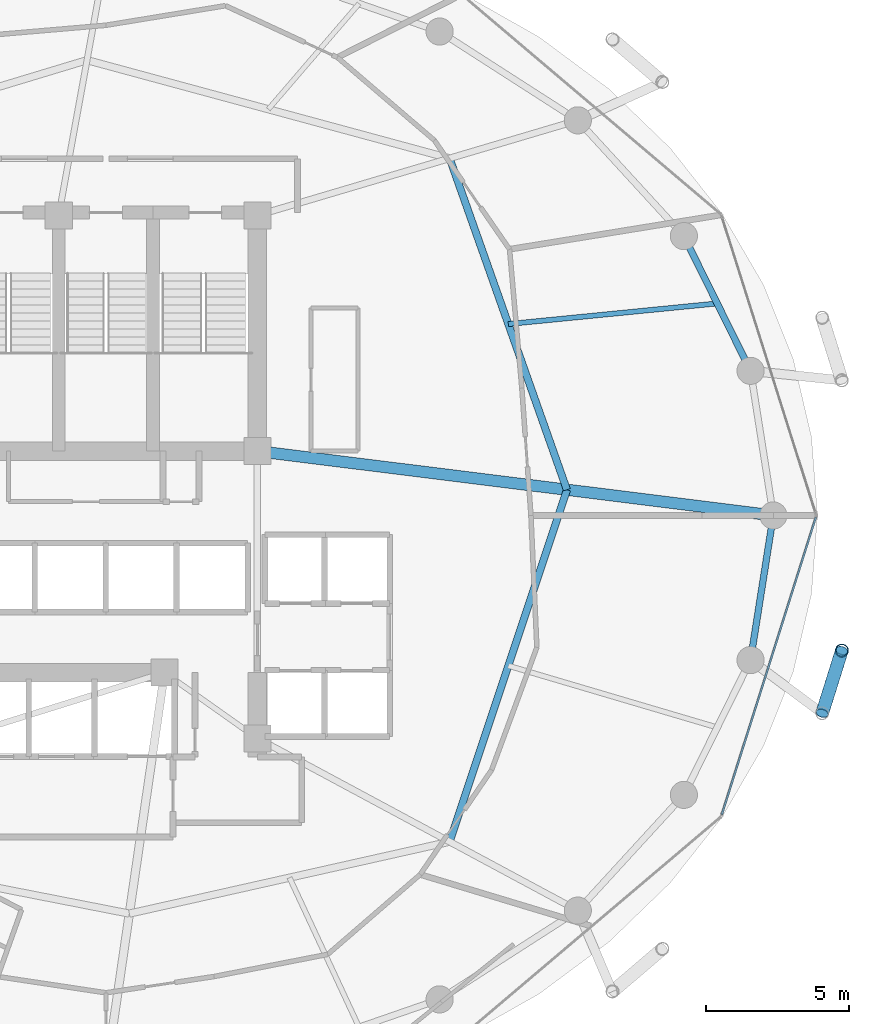
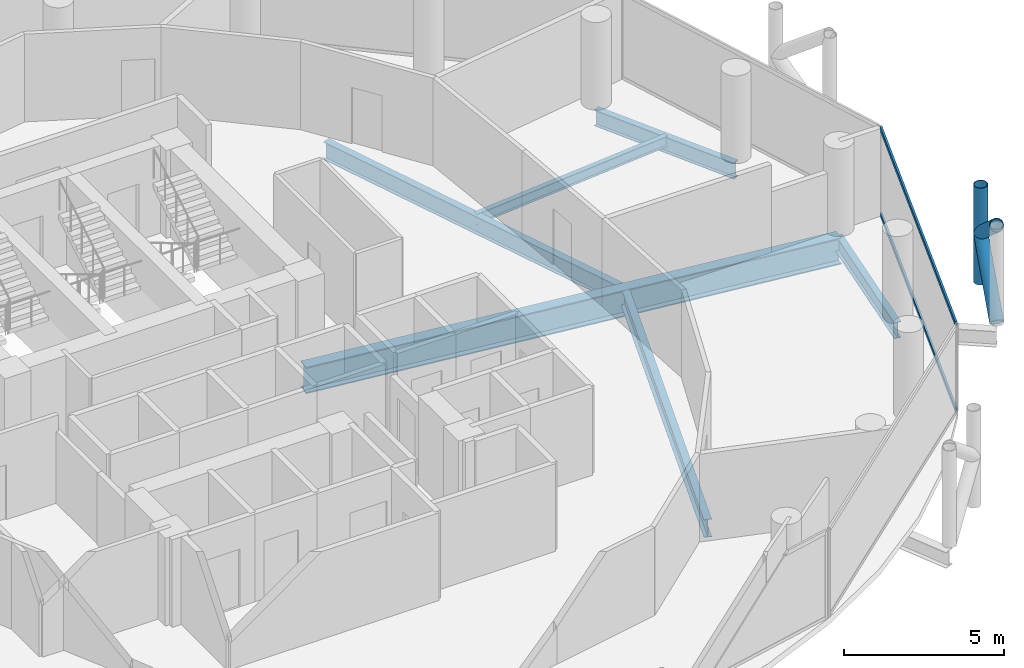
# One storey, part 11 of 26: 6 beams, 5 members, 1 element without a shape of its own.
"""IFC4 building model written with IfcOpenShell, lengths in metres."""

from ifc_helpers import new_model, si_unit, direction, frame, origin, origin_2d, place, context, subcontext, project, spatial, hollow_rectangle, hollow_circle, i_section, extrude, material, layer, layer_set, material_profile, profile_set, type_object, element, aggregate, save


model = new_model("IFC4")

# Units and contexts
model_context = context("Model", 3, precision=1e-05, world=origin(), true_north=direction((0.0, 1.0)))
body_context = subcontext(model_context, "Body", "Model", "MODEL_VIEW")
ifc_project = project(units=[si_unit("LENGTHUNIT", "METRE"), si_unit("AREAUNIT", "SQUARE_METRE"), si_unit("VOLUMEUNIT", "CUBIC_METRE"), si_unit("PLANEANGLEUNIT", "RADIAN"), si_unit("MASSUNIT", "GRAM", prefix="KILO")], contexts=[model_context])

# Site, building, storey
site_placement = place(None, origin())
site = spatial("IfcSite", under=ifc_project, at=site_placement, CompositionType="ELEMENT")
building_placement = place(site_placement, origin())
building = spatial("IfcBuilding", under=site, at=building_placement, Name="Nuhasar Tower", CompositionType="ELEMENT")
storey_placement = place(building_placement, frame((0.0, 0.0, 192.25)))
storey = spatial("IfcBuildingStorey", under=building, at=storey_placement, Name="L47", CompositionType="ELEMENT", Elevation=192.25)

# Beams
ifc_material_1 = material(Name="Steel S355", Category="steel")
ifc_material_profile_1 = material_profile(ifc_material_1, i_section(OverallWidth=0.25390625, OverallDepth=0.68408203125, WebThickness=0.012451171875, FlangeThickness=0.018798828125, at=origin_2d()), Name="W27X94")
ifc_profile_set_1 = profile_set([ifc_material_profile_1], Name="Steel S355")
beam_type_1 = type_object("IfcBeamType", Name="BM-INRING-W27X94", PredefinedType="BEAM", material=ifc_profile_set_1)
beam_1_placement = place(storey_placement, frame((51.027099609375, 15.385986328125, -0.592041015625), z_axis=(0.31609797573, 0.948726551615, 0.0), x_axis=(-0.948726551615, 0.31609797573, 0.0)))
element("IfcBeam", 1, at=beam_1_placement, inside=storey, type_object=beam_type_1, Name="L47 Inner Header Beam 03", PredefinedType="BEAM", context=body_context, shape_type="SweptSolid", body=[
    extrude(i_section(OverallWidth=0.25390625, OverallDepth=0.68408203125, WebThickness=0.012451171875, FlangeThickness=0.018798828125, at=origin_2d()), origin(), (0.0, 0.0, 1.0), 12.9794921875),
])
beam_2_placement = place(storey_placement, frame((55.1298828125, 27.699951171875, -0.592041015625), z_axis=(-0.333599821096, 0.942714781556, 0.0), x_axis=(-0.942714781556, -0.333599821096, 0.0)))
element("IfcBeam", 2, at=beam_2_placement, inside=storey, type_object=beam_type_1, Name="L47 Inner Header Beam 04", PredefinedType="BEAM", context=body_context, shape_type="SweptSolid", body=[
    extrude(i_section(OverallWidth=0.25390625, OverallDepth=0.68408203125, WebThickness=0.012451171875, FlangeThickness=0.018798828125, at=origin_2d()), origin(), (0.0, 0.0, 1.0), 12.298583984375),
])
ifc_material_profile_2 = material_profile(ifc_material_1, i_section(OverallWidth=0.177978515625, OverallDepth=0.406005859375, WebThickness=0.0078125, FlangeThickness=0.0126953125, at=origin_2d()), Name="W16X40")
ifc_profile_set_2 = profile_set([ifc_material_profile_2], Name="Steel S355")
beam_type_2 = type_object("IfcBeamType", Name="BM-JST-W16X40", PredefinedType="JOIST", material=ifc_profile_set_2)
beam_3_placement = place(storey_placement, frame((53.0791015625, 33.4970703125, -0.452880859375), z_axis=(0.995170244515, 0.098164068947, 0.0), x_axis=(-0.098164068947, 0.995170244515, 0.0)))
element("IfcBeam", 3, at=beam_3_placement, inside=storey, type_object=beam_type_2, Name="L47 Secondary Floor Joist 04", PredefinedType="JOIST", context=body_context, shape_type="SweptSolid", body=[
    extrude(i_section(OverallWidth=0.177978515625, OverallDepth=0.406005859375, WebThickness=0.0078125, FlangeThickness=0.0126953125, at=origin_2d()), origin(), (0.0, 0.0, 1.0), 7.34423828125),
])
ifc_material_profile_3 = material_profile(ifc_material_1, i_section(OverallWidth=0.22998046875, OverallDepth=0.616943359375, WebThickness=0.01318359375, FlangeThickness=0.022216796875, at=origin_2d()), Name="W24X94")
ifc_profile_set_3 = profile_set([ifc_material_profile_3], Name="Steel S355")
beam_type_3 = type_object("IfcBeamType", Name="BM-RING-W24X94", PredefinedType="SPANDREL", material=ifc_profile_set_3)
beam_4_placement = place(storey_placement, frame((61.553955078125, 31.860107421875, -0.55908203125), z_axis=(-0.443347771709, 0.896349682501, 0.0), x_axis=(-0.896349682501, -0.443347771709, 0.0)))
element("IfcBeam", 4, at=beam_4_placement, inside=storey, type_object=beam_type_3, Name="L47 Perimeter Ring Spandrel 02", PredefinedType="SPANDREL", context=body_context, shape_type="SweptSolid", body=[
    extrude(i_section(OverallWidth=0.22998046875, OverallDepth=0.616943359375, WebThickness=0.01318359375, FlangeThickness=0.022216796875, at=origin_2d()), origin(), (0.0, 0.0, 1.0), 5.260009765625),
])
beam_5_placement = place(storey_placement, frame((61.553955078125, 21.739990234375, -0.55908203125), z_axis=(0.155426543608, 0.987847452566, 0.0), x_axis=(-0.987847452566, 0.155426543608, 0.0)))
element("IfcBeam", 5, at=beam_5_placement, inside=storey, type_object=beam_type_3, Name="L47 Perimeter Ring Spandrel 24", PredefinedType="SPANDREL", context=body_context, shape_type="SweptSolid", body=[
    extrude(i_section(OverallWidth=0.22998046875, OverallDepth=0.616943359375, WebThickness=0.01318359375, FlangeThickness=0.022216796875, at=origin_2d()), origin(), (0.0, 0.0, 1.0), 5.122314453125),
])
ifc_material_2 = material(Name="Steel S460", Category="steel")
ifc_material_profile_4 = material_profile(ifc_material_2, i_section(OverallWidth=0.40087890625, OverallDepth=1.010009765625, WebThickness=0.023681640625, FlangeThickness=0.0419921875, at=origin_2d()), Name="W40X297")
ifc_profile_set_4 = profile_set([ifc_material_profile_4], Name="Steel S460")
beam_type_4 = type_object("IfcBeamType", Name="BM-XFER-W40X297", PredefinedType="USERDEFINED", material=ifc_profile_set_4)
beam_6_placement = place(storey_placement, frame((44.300048828125, 29.050048828125, -0.7548828125), z_axis=(0.992320149485, -0.123696082908, 0.0), x_axis=(0.123696082908, 0.992320149485, 0.0)))
element("IfcBeam", 6, at=beam_6_placement, inside=storey, type_object=beam_type_4, Name="L47 Radial Floor Girder 04", ObjectType="GIRDER", PredefinedType="USERDEFINED", context=body_context, shape_type="SweptSolid", body=[
    extrude(i_section(OverallWidth=0.40087890625, OverallDepth=1.010009765625, WebThickness=0.023681640625, FlangeThickness=0.0419921875, at=origin_2d()), origin(), (0.0, 0.0, 1.0), 18.189697265625),
])

# Curtain wall, members
ifc_material_3 = material(Name="Aluminium 6063-T6", Category="aluminium")
ifc_layer = layer(ifc_material_3, 0.199951171875)
ifc_layer_set = layer_set([ifc_layer], Name="Aluminium 6063-T6")
curtain_wall_type = type_object("IfcCurtainWallType", Name="CW-Z2-HTL", PredefinedType="NOTDEFINED", material=ifc_layer_set)
curtain_wall_placement = place(storey_placement, origin())
curtain_wall = element("IfcCurtainWall", 7, at=curtain_wall_placement, inside=storey, type_object=curtain_wall_type, Name="L47 Unitised Curtain Wall 12", PredefinedType="NOTDEFINED")
ifc_material_profile_5 = material_profile(ifc_material_3, hollow_rectangle(XDim=0.070068359375, YDim=0.159912109375, WallThickness=0.00439453125, at=origin_2d()), Name="CWT-3")
ifc_profile_set_5 = profile_set([ifc_material_profile_5], Name="Aluminium 6063-T6")
member_type_1 = type_object("IfcMemberType", Name="CW-TRN-S3", PredefinedType="USERDEFINED", material=ifc_profile_set_5)
member_1_placement = place(storey_placement, frame((60.550048828125, 16.336669921875, 0.034912109375), z_axis=(0.301608163352, 0.953431967053, 0.0), x_axis=(-0.953431967053, 0.301608163352, 0.0)))
member_1 = element("IfcMember", 8, at=member_1_placement, type_object=member_type_1, Name="CW-Z2 transom 1.1", ObjectType="TRANSOM", PredefinedType="USERDEFINED", context=body_context, shape_type="SweptSolid", body=[
    extrude(hollow_rectangle(XDim=0.070068359375, YDim=0.159912109375, WallThickness=0.00439453125, at=origin_2d()), origin(), (0.0, 0.0, 1.0), 10.904296875),
])
member_2_placement = place(storey_placement, frame((60.550048828125, 16.336669921875, 3.31494140625), z_axis=(0.301608163352, 0.953431967053, 0.0), x_axis=(-0.953431967053, 0.301608163352, 0.0)))
member_2 = element("IfcMember", 9, at=member_2_placement, type_object=member_type_1, Name="CW-Z2 transom 1.2", ObjectType="TRANSOM", PredefinedType="USERDEFINED", context=body_context, shape_type="SweptSolid", body=[
    extrude(hollow_rectangle(XDim=0.070068359375, YDim=0.159912109375, WallThickness=0.00439453125, at=origin_2d()), origin(), (0.0, 0.0, 1.0), 10.904296875),
])
aggregate(curtain_wall, [member_1, member_2])

# Members
ifc_material_profile_6 = material_profile(ifc_material_2, hollow_circle(Radius=0.228515625, WallThickness=0.022216796875, at=origin_2d()), Name="HSS457X22.2")
ifc_profile_set_6 = profile_set([ifc_material_profile_6], Name="Steel S460")
member_type_2 = type_object("IfcMemberType", Name="EXO-BRONZE-457", PredefinedType="BRACE", material=ifc_profile_set_6)
member_3_placement = place(storey_placement, frame((64.748046875, 22.073974609375, 0.0), z_axis=(0.0, 0.0, 1.0), x_axis=(1.0, 0.0, 0.0)))
element("IfcMember", 10, at=member_3_placement, inside=storey, type_object=member_type_2, Name="L47 Exoskeleton Chord Column EC-12B", PredefinedType="BRACE", context=body_context, shape_type="SweptSolid", body=[
    extrude(hollow_circle(Radius=0.228515625, WallThickness=0.022216796875, at=origin_2d()), origin(), (0.0, 0.0, 1.0), 3.699951171875),
])
member_4_placement = place(storey_placement, frame((64.06005859375, 19.87890625, 0.0), z_axis=(0.233055548538, 0.743577869731, 0.626719285599), x_axis=(-0.954228474306, 0.29907861646, 0.0)))
element("IfcMember", 11, at=member_4_placement, inside=storey, type_object=member_type_2, Name="L47 Bronze Diagrid Brace W1-12", PredefinedType="BRACE", context=body_context, shape_type="SweptSolid", body=[
    extrude(hollow_circle(Radius=0.228515625, WallThickness=0.022216796875, at=origin_2d()), origin(), (0.0, 0.0, 1.0), 2.9521484375),
])
member_5_placement = place(storey_placement, frame((64.748046875, 22.073974609375, 1.85009765625), z_axis=(-0.233067628236, -0.74361641074, 0.626669062861), x_axis=(0.954228474306, -0.29907861646, 0.0)))
element("IfcMember", 12, at=member_5_placement, inside=storey, type_object=member_type_2, Name="L47 Bronze Diagrid Brace W2-12", PredefinedType="BRACE", context=body_context, shape_type="SweptSolid", body=[
    extrude(hollow_circle(Radius=0.228515625, WallThickness=0.022216796875, at=origin_2d()), origin(), (0.0, 0.0, 1.0), 2.951904296875),
])

save(model, "model.ifc")
